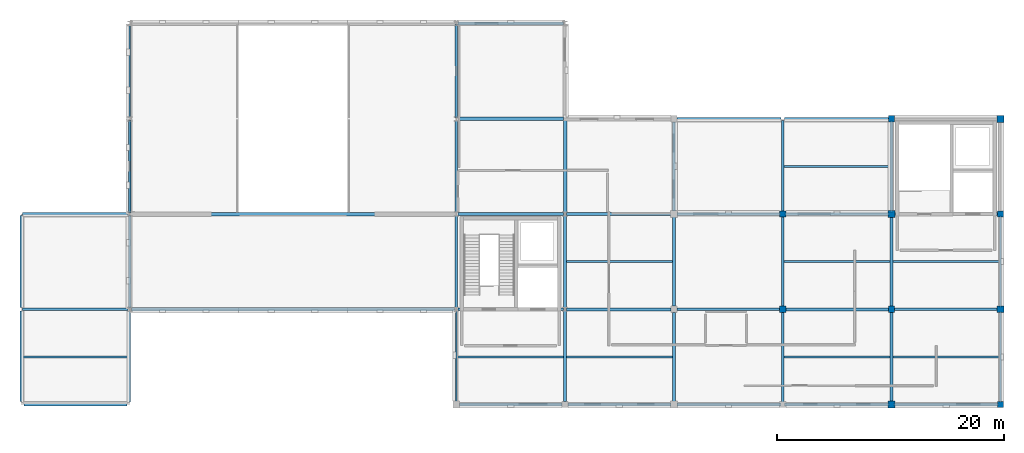
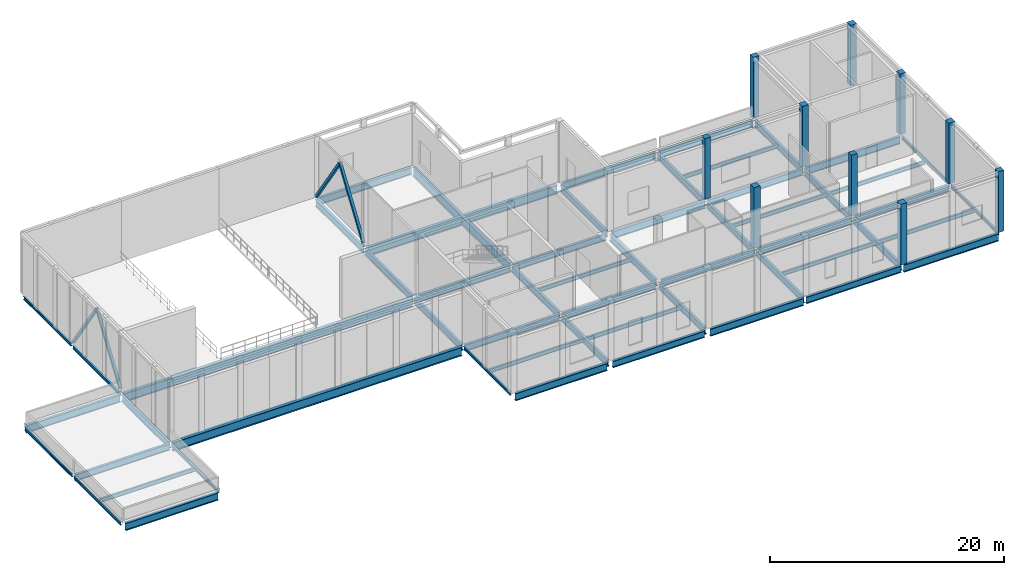
# One storey, part 2 of 9: 57 beams, 10 columns, 4 members.
"""IFC4 building model written with IfcOpenShell, lengths in metres."""

from ifc_helpers import new_model, si_unit, direction, frame, origin, origin_2d, place, context, subcontext, project, spatial, rectangle, hollow_rectangle, i_section, extrude, material, material_profile, profile_set, type_object, element, save


model = new_model("IFC4")

# Units and contexts
model_context = context("Model", 3, precision=1e-05, world=origin(), true_north=direction((0.0, 1.0)))
body_context = subcontext(model_context, "Body", "Model", "MODEL_VIEW")
ifc_project = project(units=[si_unit("LENGTHUNIT", "METRE"), si_unit("AREAUNIT", "SQUARE_METRE"), si_unit("VOLUMEUNIT", "CUBIC_METRE"), si_unit("PLANEANGLEUNIT", "RADIAN"), si_unit("MASSUNIT", "GRAM", prefix="KILO")], contexts=[model_context])

# Site, building, storey
site_placement = place(None, origin())
site = spatial("IfcSite", under=ifc_project, at=site_placement, CompositionType="ELEMENT")
building_placement = place(site_placement, origin())
building = spatial("IfcBuilding", under=site, at=building_placement, Name="Lornevale Opera House", CompositionType="ELEMENT")
storey_placement = place(building_placement, frame((0.0, 0.0, 24.60009765625)))
storey = spatial("IfcBuildingStorey", under=building, at=storey_placement, Name="L06", CompositionType="ELEMENT", Elevation=24.60009765625)

# Columns
ifc_material_1 = material(Name="Concrete 35 MPa (CSA A23.1 N)", Category="concrete")
ifc_material_profile_1 = material_profile(ifc_material_1, rectangle(XDim=0.550048828125, YDim=0.550048828125, at=origin_2d()), Name="RC550x550")
ifc_profile_set_1 = profile_set([ifc_material_profile_1], Name="Concrete 35 MPa (CSA A23.1 N)")
column_type_1 = type_object("IfcColumnType", Name="Concrete Column 550x550", PredefinedType="COLUMN", material=ifc_profile_set_1)
for number, where, z_axis, x_axis, name in (
    (1, (124.800048828125, 67.199951171875, 0.0), (0.0, 0.0, 1.0), (1.0, 0.0, 0.0), "Concrete Column 550x550 0884"),
    (2, (134.39990234375, 58.800048828125, 0.0), (0.0, 0.0, 1.0), (1.0, 0.0, 0.0), "Concrete Column 550x550 0953"),
    (3, (134.39990234375, 75.60009765625, 0.0), (0.0, 0.0, 1.0), (1.0, 0.0, 0.0), "Concrete Column 550x550 0969"),
    (4, (144.0, 50.39990234375, 0.0), (0.0, 0.0, 1.0), (1.0, 0.0, 0.0), "Concrete Column 550x550 1008"),
    (5, (144.0, 67.199951171875, 0.0), (0.0, 0.0, 1.0), (1.0, 0.0, 0.0), "Concrete Column 550x550 1024"),
):
    element("IfcColumn", number, at=place(storey_placement, frame(where, z_axis=z_axis, x_axis=x_axis)), inside=storey, type_object=column_type_1, Name=name, PredefinedType="COLUMN", context=body_context, shape_type="SweptSolid", body=[
        extrude(rectangle(XDim=0.550048828125, YDim=0.550048828125, at=origin_2d()), origin(), (0.0, 0.0, 1.0), 6.329833984375),
    ])
ifc_material_profile_2 = material_profile(ifc_material_1, rectangle(XDim=0.60009765625, YDim=0.60009765625, at=origin_2d()), Name="RC600x600")
ifc_profile_set_2 = profile_set([ifc_material_profile_2], Name="Concrete 35 MPa (CSA A23.1 N)")
column_type_2 = type_object("IfcColumnType", Name="Concrete Column 600x600", PredefinedType="COLUMN", material=ifc_profile_set_2)
for number, where, z_axis, x_axis, name in (
    (6, (124.800048828125, 58.800048828125, 0.0), (0.0, 0.0, 1.0), (1.0, 0.0, 0.0), "Concrete Column 600x600 0876"),
    (7, (134.39990234375, 50.39990234375, 0.0), (0.0, 0.0, 1.0), (1.0, 0.0, 0.0), "Concrete Column 600x600 0945"),
    (8, (134.39990234375, 67.199951171875, 0.0), (0.0, 0.0, 1.0), (1.0, 0.0, 0.0), "Concrete Column 600x600 0961"),
    (9, (144.0, 58.800048828125, 0.0), (0.0, 0.0, 1.0), (1.0, 0.0, 0.0), "Concrete Column 600x600 1016"),
    (10, (144.0, 75.60009765625, 0.0), (0.0, 0.0, 1.0), (1.0, 0.0, 0.0), "Concrete Column 600x600 1032"),
):
    element("IfcColumn", number, at=place(storey_placement, frame(where, z_axis=z_axis, x_axis=x_axis)), inside=storey, type_object=column_type_2, Name=name, PredefinedType="COLUMN", context=body_context, shape_type="SweptSolid", body=[
        extrude(rectangle(XDim=0.60009765625, YDim=0.60009765625, at=origin_2d()), origin(), (0.0, 0.0, 1.0), 6.329833984375),
    ])

# Members
ifc_material_2 = material(Name="Structural Steel CSA G40.21 Grade 350W (350 MPa)", Category="steel")
ifc_material_profile_3 = material_profile(ifc_material_2, hollow_rectangle(XDim=0.25390625, YDim=0.25390625, WallThickness=0.0126953125, at=origin_2d()), Name="HSS254x254x13")
ifc_profile_set_3 = profile_set([ifc_material_profile_3], Name="Structural Steel CSA G40.21 Grade 350W (350 MPa)")
member_type = type_object("IfcMemberType", Name="Stagehouse Lateral Brace HSS254x254x13", PredefinedType="BRACE", material=ifc_profile_set_3)
for number, where, z_axis, x_axis, name in (
    (11, (67.199951171875, 67.3935546875, 0.099853515625), (0.0, 0.561758390536, 0.827301342113), (-1.0, 0.0, 0.0), "Stagehouse Lateral Brace HSS254x254x13 0114"),
    (12, (67.199951171875, 75.406494140625, 0.099853515625), (0.0, -0.561781819653, 0.82728543267), (1.0, 0.0, 0.0), "Stagehouse Lateral Brace HSS254x254x13 0115"),
    (13, (96.0, 75.79345703125, 0.099853515625), (0.0, 0.561781819653, 0.82728543267), (-1.0, 0.0, 0.0), "Stagehouse Lateral Brace HSS254x254x13 0126"),
    (14, (96.0, 83.806396484375, 0.099853515625), (0.0, -0.561758390536, 0.827301342113), (1.0, 0.0, 0.0), "Stagehouse Lateral Brace HSS254x254x13 0127"),
):
    element("IfcMember", number, at=place(storey_placement, frame(where, z_axis=z_axis, x_axis=x_axis)), inside=storey, type_object=member_type, Name=name, PredefinedType="BRACE", context=body_context, shape_type="SweptSolid", body=[
        extrude(hollow_rectangle(XDim=0.25390625, YDim=0.25390625, WallThickness=0.0126953125, at=origin_2d()), origin(), (0.0, 0.0, 1.0), 7.1318359375),
    ])

# Beams
ifc_material_profile_4 = material_profile(ifc_material_2, i_section(OverallWidth=0.179931640625, OverallDepth=0.4130859375, WebThickness=0.009765625, FlangeThickness=0.01611328125, at=origin_2d()), Name="W410x74")
ifc_profile_set_4 = profile_set([ifc_material_profile_4], Name="Structural Steel CSA G40.21 Grade 350W (350 MPa)")
beam_type_1 = type_object("IfcBeamType", Name="Steel Floor Joist W410x74", PredefinedType="JOIST", material=ifc_profile_set_4)
beam_1_placement = place(storey_placement, frame((57.68359375, 54.60009765625, -0.51171875), z_axis=(1.0, 0.0, 0.0), x_axis=(0.0, 1.0, 0.0)))
element("IfcBeam", 15, at=beam_1_placement, inside=storey, type_object=beam_type_1, Name="Steel Floor Joist W410x74 2879", PredefinedType="JOIST", context=body_context, shape_type="SweptSolid", body=[
    extrude(i_section(OverallWidth=0.179931640625, OverallDepth=0.4130859375, WebThickness=0.009765625, FlangeThickness=0.01611328125, at=origin_2d()), origin(), (0.0, 0.0, 1.0), 9.432861328125),
])
beam_2_placement = place(storey_placement, frame((96.08349609375, 54.60009765625, -0.441650390625), z_axis=(1.0, 0.0, 0.0), x_axis=(0.0, 1.0, 0.0)))
element("IfcBeam", 16, at=beam_2_placement, inside=storey, type_object=beam_type_1, Name="Steel Floor Joist W410x74 2880", PredefinedType="JOIST", context=body_context, shape_type="SweptSolid", body=[
    extrude(i_section(OverallWidth=0.179931640625, OverallDepth=0.4130859375, WebThickness=0.009765625, FlangeThickness=0.01611328125, at=origin_2d()), origin(), (0.0, 0.0, 1.0), 9.389404296875),
])
for number, where, z_axis, x_axis, name in (
    (17, (105.72705078125, 54.60009765625, -0.441650390625), (1.0, 0.0, 0.0), (0.0, 1.0, 0.0), "Steel Floor Joist W410x74 2881"),
    (18, (105.72705078125, 63.0, -0.51171875), (1.0, 0.0, 0.0), (0.0, 1.0, 0.0), "Steel Floor Joist W410x74 2882"),
    (19, (124.927001953125, 54.60009765625, -0.441650390625), (1.0, 0.0, 0.0), (0.0, 1.0, 0.0), "Steel Floor Joist W410x74 2883"),
    (20, (124.927001953125, 63.0, -0.51171875), (1.0, 0.0, 0.0), (0.0, 1.0, 0.0), "Steel Floor Joist W410x74 2884"),
    (21, (124.927001953125, 71.39990234375, -0.51171875), (1.0, 0.0, 0.0), (0.0, 1.0, 0.0), "Steel Floor Joist W410x74 2885"),
):
    element("IfcBeam", number, at=place(storey_placement, frame(where, z_axis=z_axis, x_axis=x_axis)), inside=storey, type_object=beam_type_1, Name=name, PredefinedType="JOIST", context=body_context, shape_type="SweptSolid", body=[
        extrude(i_section(OverallWidth=0.179931640625, OverallDepth=0.4130859375, WebThickness=0.009765625, FlangeThickness=0.01611328125, at=origin_2d()), origin(), (0.0, 0.0, 1.0), 9.345947265625),
    ])
for number, where, z_axis, x_axis, name in (
    (22, (134.527099609375, 54.60009765625, -0.441650390625), (1.0, 0.0, 0.0), (0.0, 1.0, 0.0), "Steel Floor Joist W410x74 2886"),
    (23, (134.527099609375, 63.0, -0.51171875), (1.0, 0.0, 0.0), (0.0, 1.0, 0.0), "Steel Floor Joist W410x74 2887"),
):
    element("IfcBeam", number, at=place(storey_placement, frame(where, z_axis=z_axis, x_axis=x_axis)), inside=storey, type_object=beam_type_1, Name=name, PredefinedType="JOIST", context=body_context, shape_type="SweptSolid", body=[
        extrude(i_section(OverallWidth=0.179931640625, OverallDepth=0.4130859375, WebThickness=0.009765625, FlangeThickness=0.01611328125, at=origin_2d()), origin(), (0.0, 0.0, 1.0), 9.389404296875),
    ])
ifc_material_profile_5 = material_profile(ifc_material_2, i_section(OverallWidth=0.25390625, OverallDepth=0.68798828125, WebThickness=0.01318359375, FlangeThickness=0.02099609375, at=origin_2d()), Name="W690x152")
ifc_profile_set_5 = profile_set([ifc_material_profile_5], Name="Structural Steel CSA G40.21 Grade 350W (350 MPa)")
beam_type_2 = type_object("IfcBeamType", Name="Steel Foyer Beam W690x152", PredefinedType="USERDEFINED", material=ifc_profile_set_5)
beam_3_placement = place(storey_placement, frame((105.875, 50.39990234375, -0.5791015625), z_axis=(1.0, 0.0, 0.0), x_axis=(0.0, 1.0, 0.0)))
element("IfcBeam", 24, at=beam_3_placement, inside=storey, type_object=beam_type_2, Name="Steel Foyer Beam W690x152 2831", ObjectType="GIRDER", PredefinedType="USERDEFINED", context=body_context, shape_type="SweptSolid", body=[
    extrude(i_section(OverallWidth=0.25390625, OverallDepth=0.68798828125, WebThickness=0.01318359375, FlangeThickness=0.02099609375, at=origin_2d()), origin(), (0.0, 0.0, 1.0), 9.050048828125),
])
beam_4_placement = place(storey_placement, frame((124.9365234375, 50.39990234375, -0.5791015625), z_axis=(1.0, 0.0, 0.0), x_axis=(0.0, 1.0, 0.0)))
element("IfcBeam", 25, at=beam_4_placement, inside=storey, type_object=beam_type_2, Name="Steel Foyer Beam W690x152 2833", ObjectType="GIRDER", PredefinedType="USERDEFINED", context=body_context, shape_type="SweptSolid", body=[
    extrude(i_section(OverallWidth=0.25390625, OverallDepth=0.68798828125, WebThickness=0.01318359375, FlangeThickness=0.02099609375, at=origin_2d()), origin(), (0.0, 0.0, 1.0), 9.326904296875),
])
for number, where, z_axis, x_axis, name in (
    (26, (57.748046875, 58.800048828125, -0.649169921875), (1.0, 0.0, 0.0), (0.0, 1.0, 0.0), "Steel Foyer Beam W690x152 2835"),
    (27, (96.14794921875, 58.800048828125, -0.5791015625), (1.0, 0.0, 0.0), (0.0, 1.0, 0.0), "Steel Foyer Beam W690x152 2837"),
):
    element("IfcBeam", number, at=place(storey_placement, frame(where, z_axis=z_axis, x_axis=x_axis)), inside=storey, type_object=beam_type_2, Name=name, ObjectType="GIRDER", PredefinedType="USERDEFINED", context=body_context, shape_type="SweptSolid", body=[
        extrude(i_section(OverallWidth=0.25390625, OverallDepth=0.68798828125, WebThickness=0.01318359375, FlangeThickness=0.02099609375, at=origin_2d()), origin(), (0.0, 0.0, 1.0), 9.303955078125),
    ])
beam_5_placement = place(storey_placement, frame((115.47509765625, 58.800048828125, -0.5791015625), z_axis=(1.0, 0.0, 0.0), x_axis=(0.0, 1.0, 0.0)))
element("IfcBeam", 28, at=beam_5_placement, inside=storey, type_object=beam_type_2, Name="Steel Foyer Beam W690x152 2839", ObjectType="GIRDER", PredefinedType="USERDEFINED", context=body_context, shape_type="SweptSolid", body=[
    extrude(i_section(OverallWidth=0.25390625, OverallDepth=0.68798828125, WebThickness=0.01318359375, FlangeThickness=0.02099609375, at=origin_2d()), origin(), (0.0, 0.0, 1.0), 9.1884765625),
])
beam_6_placement = place(storey_placement, frame((134.53662109375, 58.800048828125, -0.5791015625), z_axis=(1.0, 0.0, 0.0), x_axis=(0.0, 1.0, 0.0)))
element("IfcBeam", 29, at=beam_6_placement, inside=storey, type_object=beam_type_2, Name="Steel Foyer Beam W690x152 2841", ObjectType="GIRDER", PredefinedType="USERDEFINED", context=body_context, shape_type="SweptSolid", body=[
    extrude(i_section(OverallWidth=0.25390625, OverallDepth=0.68798828125, WebThickness=0.01318359375, FlangeThickness=0.02099609375, at=origin_2d()), origin(), (0.0, 0.0, 1.0), 9.326904296875),
])
beam_7_placement = place(storey_placement, frame((105.748046875, 67.199951171875, -0.649169921875), z_axis=(1.0, 0.0, 0.0), x_axis=(0.0, 1.0, 0.0)))
element("IfcBeam", 30, at=beam_7_placement, inside=storey, type_object=beam_type_2, Name="Steel Foyer Beam W690x152 2845", ObjectType="GIRDER", PredefinedType="USERDEFINED", context=body_context, shape_type="SweptSolid", body=[
    extrude(i_section(OverallWidth=0.25390625, OverallDepth=0.68798828125, WebThickness=0.01318359375, FlangeThickness=0.02099609375, at=origin_2d()), origin(), (0.0, 0.0, 1.0), 9.177001953125),
])
beam_8_placement = place(storey_placement, frame((124.9365234375, 67.199951171875, -0.649169921875), z_axis=(1.0, 0.0, 0.0), x_axis=(0.0, 1.0, 0.0)))
element("IfcBeam", 31, at=beam_8_placement, inside=storey, type_object=beam_type_2, Name="Steel Foyer Beam W690x152 2847", ObjectType="GIRDER", PredefinedType="USERDEFINED", context=body_context, shape_type="SweptSolid", body=[
    extrude(i_section(OverallWidth=0.25390625, OverallDepth=0.68798828125, WebThickness=0.01318359375, FlangeThickness=0.02099609375, at=origin_2d()), origin(), (0.0, 0.0, 1.0), 9.326904296875),
])
beam_9_placement = place(storey_placement, frame((115.47509765625, 75.60009765625, -0.649169921875), z_axis=(1.0, 0.0, 0.0), x_axis=(0.0, 1.0, 0.0)))
element("IfcBeam", 32, at=beam_9_placement, inside=storey, type_object=beam_type_2, Name="Steel Foyer Beam W690x152 2850", ObjectType="GIRDER", PredefinedType="USERDEFINED", context=body_context, shape_type="SweptSolid", body=[
    extrude(i_section(OverallWidth=0.25390625, OverallDepth=0.68798828125, WebThickness=0.01318359375, FlangeThickness=0.02099609375, at=origin_2d()), origin(), (0.0, 0.0, 1.0), 9.1884765625),
])
for number, where, z_axis, x_axis, name in (
    (33, (67.199951171875, 58.943603515625, -0.649169921875), (0.0, 1.0, 0.0), (-1.0, 0.0, 0.0), "Steel Foyer Beam W690x152 2857"),
    (34, (96.0, 58.943603515625, -0.5791015625), (0.0, 1.0, 0.0), (-1.0, 0.0, 0.0), "Steel Foyer Beam W690x152 2861"),
):
    element("IfcBeam", number, at=place(storey_placement, frame(where, z_axis=z_axis, x_axis=x_axis)), inside=storey, type_object=beam_type_2, Name=name, ObjectType="GIRDER", PredefinedType="USERDEFINED", context=body_context, shape_type="SweptSolid", body=[
        extrude(i_section(OverallWidth=0.25390625, OverallDepth=0.68798828125, WebThickness=0.01318359375, FlangeThickness=0.02099609375, at=origin_2d()), origin(), (0.0, 0.0, 1.0), 8.11279296875),
    ])
for number, where, z_axis, x_axis, name in (
    (35, (96.0, 67.343505859375, -0.5791015625), (0.0, 1.0, 0.0), (-1.0, 0.0, 0.0), "Steel Foyer Beam W690x152 2862"),
    (36, (96.0, 75.743408203125, -0.5791015625), (0.0, 1.0, 0.0), (-1.0, 0.0, 0.0), "Steel Foyer Beam W690x152 2863"),
):
    element("IfcBeam", number, at=place(storey_placement, frame(where, z_axis=z_axis, x_axis=x_axis)), inside=storey, type_object=beam_type_2, Name=name, ObjectType="GIRDER", PredefinedType="USERDEFINED", context=body_context, shape_type="SweptSolid", body=[
        extrude(i_section(OverallWidth=0.25390625, OverallDepth=0.68798828125, WebThickness=0.01318359375, FlangeThickness=0.02099609375, at=origin_2d()), origin(), (0.0, 0.0, 1.0), 8.113037109375),
    ])
beam_10_placement = place(storey_placement, frame((105.60009765625, 50.675048828125, -0.5791015625), z_axis=(0.0, 1.0, 0.0), x_axis=(-1.0, 0.0, 0.0)))
element("IfcBeam", 37, at=beam_10_placement, inside=storey, type_object=beam_type_2, Name="Steel Foyer Beam W690x152 2864", ObjectType="GIRDER", PredefinedType="USERDEFINED", context=body_context, shape_type="SweptSolid", body=[
    extrude(i_section(OverallWidth=0.25390625, OverallDepth=0.68798828125, WebThickness=0.01318359375, FlangeThickness=0.02099609375, at=origin_2d()), origin(), (0.0, 0.0, 1.0), 7.9814453125),
])
beam_11_placement = place(storey_placement, frame((105.60009765625, 58.943603515625, -0.5791015625), z_axis=(0.0, 1.0, 0.0), x_axis=(-1.0, 0.0, 0.0)))
element("IfcBeam", 38, at=beam_11_placement, inside=storey, type_object=beam_type_2, Name="Steel Foyer Beam W690x152 2865", ObjectType="GIRDER", PredefinedType="USERDEFINED", context=body_context, shape_type="SweptSolid", body=[
    extrude(i_section(OverallWidth=0.25390625, OverallDepth=0.68798828125, WebThickness=0.01318359375, FlangeThickness=0.02099609375, at=origin_2d()), origin(), (0.0, 0.0, 1.0), 8.11279296875),
])
beam_12_placement = place(storey_placement, frame((115.199951171875, 50.675048828125, -0.5791015625), z_axis=(0.0, 1.0, 0.0), x_axis=(-1.0, 0.0, 0.0)))
element("IfcBeam", 39, at=beam_12_placement, inside=storey, type_object=beam_type_2, Name="Steel Foyer Beam W690x152 2867", ObjectType="GIRDER", PredefinedType="USERDEFINED", context=body_context, shape_type="SweptSolid", body=[
    extrude(i_section(OverallWidth=0.25390625, OverallDepth=0.68798828125, WebThickness=0.01318359375, FlangeThickness=0.02099609375, at=origin_2d()), origin(), (0.0, 0.0, 1.0), 7.849853515625),
])
beam_13_placement = place(storey_placement, frame((115.199951171875, 59.074951171875, -0.649169921875), z_axis=(0.0, 1.0, 0.0), x_axis=(-1.0, 0.0, 0.0)))
element("IfcBeam", 40, at=beam_13_placement, inside=storey, type_object=beam_type_2, Name="Steel Foyer Beam W690x152 2868", ObjectType="GIRDER", PredefinedType="USERDEFINED", context=body_context, shape_type="SweptSolid", body=[
    extrude(i_section(OverallWidth=0.25390625, OverallDepth=0.68798828125, WebThickness=0.01318359375, FlangeThickness=0.02099609375, at=origin_2d()), origin(), (0.0, 0.0, 1.0), 7.85009765625),
])
beam_14_placement = place(storey_placement, frame((115.199951171875, 67.47509765625, -0.649169921875), z_axis=(0.0, 1.0, 0.0), x_axis=(-1.0, 0.0, 0.0)))
element("IfcBeam", 41, at=beam_14_placement, inside=storey, type_object=beam_type_2, Name="Steel Foyer Beam W690x152 2869", ObjectType="GIRDER", PredefinedType="USERDEFINED", context=body_context, shape_type="SweptSolid", body=[
    extrude(i_section(OverallWidth=0.25390625, OverallDepth=0.68798828125, WebThickness=0.01318359375, FlangeThickness=0.02099609375, at=origin_2d()), origin(), (0.0, 0.0, 1.0), 7.849853515625),
])
beam_15_placement = place(storey_placement, frame((124.800048828125, 50.533935546875, -0.5791015625), z_axis=(0.0, 1.0, 0.0), x_axis=(-1.0, 0.0, 0.0)))
element("IfcBeam", 42, at=beam_15_placement, inside=storey, type_object=beam_type_2, Name="Steel Foyer Beam W690x152 2870", ObjectType="GIRDER", PredefinedType="USERDEFINED", context=body_context, shape_type="SweptSolid", body=[
    extrude(i_section(OverallWidth=0.25390625, OverallDepth=0.68798828125, WebThickness=0.01318359375, FlangeThickness=0.02099609375, at=origin_2d()), origin(), (0.0, 0.0, 1.0), 8.132080078125),
])
beam_16_placement = place(storey_placement, frame((124.800048828125, 58.93408203125, -0.649169921875), z_axis=(0.0, 1.0, 0.0), x_axis=(-1.0, 0.0, 0.0)))
element("IfcBeam", 43, at=beam_16_placement, inside=storey, type_object=beam_type_2, Name="Steel Foyer Beam W690x152 2871", ObjectType="GIRDER", PredefinedType="USERDEFINED", context=body_context, shape_type="SweptSolid", body=[
    extrude(i_section(OverallWidth=0.25390625, OverallDepth=0.68798828125, WebThickness=0.01318359375, FlangeThickness=0.02099609375, at=origin_2d()), origin(), (0.0, 0.0, 1.0), 8.1318359375),
])
for number, where, z_axis, x_axis, name in (
    (44, (124.800048828125, 67.333984375, -0.649169921875), (0.0, 1.0, 0.0), (-1.0, 0.0, 0.0), "Steel Foyer Beam W690x152 2872"),
    (45, (134.39990234375, 50.533935546875, -0.5791015625), (0.0, 1.0, 0.0), (-1.0, 0.0, 0.0), "Steel Foyer Beam W690x152 2873"),
):
    element("IfcBeam", number, at=place(storey_placement, frame(where, z_axis=z_axis, x_axis=x_axis)), inside=storey, type_object=beam_type_2, Name=name, ObjectType="GIRDER", PredefinedType="USERDEFINED", context=body_context, shape_type="SweptSolid", body=[
        extrude(i_section(OverallWidth=0.25390625, OverallDepth=0.68798828125, WebThickness=0.01318359375, FlangeThickness=0.02099609375, at=origin_2d()), origin(), (0.0, 0.0, 1.0), 8.132080078125),
    ])
beam_17_placement = place(storey_placement, frame((134.39990234375, 58.93408203125, -0.649169921875), z_axis=(0.0, 1.0, 0.0), x_axis=(-1.0, 0.0, 0.0)))
element("IfcBeam", 46, at=beam_17_placement, inside=storey, type_object=beam_type_2, Name="Steel Foyer Beam W690x152 2874", ObjectType="GIRDER", PredefinedType="USERDEFINED", context=body_context, shape_type="SweptSolid", body=[
    extrude(i_section(OverallWidth=0.25390625, OverallDepth=0.68798828125, WebThickness=0.01318359375, FlangeThickness=0.02099609375, at=origin_2d()), origin(), (0.0, 0.0, 1.0), 8.1318359375),
])
beam_18_placement = place(storey_placement, frame((134.39990234375, 67.333984375, -0.649169921875), z_axis=(0.0, 1.0, 0.0), x_axis=(-1.0, 0.0, 0.0)))
element("IfcBeam", 47, at=beam_18_placement, inside=storey, type_object=beam_type_2, Name="Steel Foyer Beam W690x152 2875", ObjectType="GIRDER", PredefinedType="USERDEFINED", context=body_context, shape_type="SweptSolid", body=[
    extrude(i_section(OverallWidth=0.25390625, OverallDepth=0.68798828125, WebThickness=0.01318359375, FlangeThickness=0.02099609375, at=origin_2d()), origin(), (0.0, 0.0, 1.0), 8.132080078125),
])
ifc_material_profile_6 = material_profile(ifc_material_2, i_section(OverallWidth=0.1669921875, OverallDepth=0.31689453125, WebThickness=0.007568359375, FlangeThickness=0.01318359375, at=origin_2d()), Name="W310x52")
ifc_profile_set_6 = profile_set([ifc_material_profile_6], Name="Structural Steel CSA G40.21 Grade 350W (350 MPa)")
beam_type_3 = type_object("IfcBeamType", Name="Steel Spandrel Beam W310x52", PredefinedType="SPANDREL", material=ifc_profile_set_6)
beam_19_placement = place(storey_placement, frame((57.60009765625, 50.64990234375, -0.463623046875), z_axis=(0.0, 1.0, 0.0), x_axis=(-1.0, 0.0, 0.0)))
element("IfcBeam", 48, at=beam_19_placement, inside=storey, type_object=beam_type_3, Name="Steel Spandrel Beam W310x52 2854", PredefinedType="SPANDREL", context=body_context, shape_type="SweptSolid", body=[
    extrude(i_section(OverallWidth=0.1669921875, OverallDepth=0.31689453125, WebThickness=0.007568359375, FlangeThickness=0.01318359375, at=origin_2d()), origin(), (0.0, 0.0, 1.0), 8.006591796875),
])
beam_20_placement = place(storey_placement, frame((57.60009765625, 58.943603515625, -0.463623046875), z_axis=(0.0, 1.0, 0.0), x_axis=(-1.0, 0.0, 0.0)))
element("IfcBeam", 49, at=beam_20_placement, inside=storey, type_object=beam_type_3, Name="Steel Spandrel Beam W310x52 2855", PredefinedType="SPANDREL", context=body_context, shape_type="SweptSolid", body=[
    extrude(i_section(OverallWidth=0.1669921875, OverallDepth=0.31689453125, WebThickness=0.007568359375, FlangeThickness=0.01318359375, at=origin_2d()), origin(), (0.0, 0.0, 1.0), 8.11279296875),
])
beam_21_placement = place(storey_placement, frame((67.199951171875, 50.625, -0.463623046875), z_axis=(0.0, 1.0, 0.0), x_axis=(-1.0, 0.0, 0.0)))
element("IfcBeam", 50, at=beam_21_placement, inside=storey, type_object=beam_type_3, Name="Steel Spandrel Beam W310x52 2856", PredefinedType="SPANDREL", context=body_context, shape_type="SweptSolid", body=[
    extrude(i_section(OverallWidth=0.1669921875, OverallDepth=0.31689453125, WebThickness=0.007568359375, FlangeThickness=0.01318359375, at=origin_2d()), origin(), (0.0, 0.0, 1.0), 8.031494140625),
])
for number, where, z_axis, x_axis, name in (
    (51, (67.199951171875, 67.343505859375, -0.463623046875), (0.0, 1.0, 0.0), (-1.0, 0.0, 0.0), "Steel Spandrel Beam W310x52 2858"),
    (52, (67.199951171875, 75.743408203125, -0.3935546875), (0.0, 1.0, 0.0), (-1.0, 0.0, 0.0), "Steel Spandrel Beam W310x52 2859"),
):
    element("IfcBeam", number, at=place(storey_placement, frame(where, z_axis=z_axis, x_axis=x_axis)), inside=storey, type_object=beam_type_3, Name=name, PredefinedType="SPANDREL", context=body_context, shape_type="SweptSolid", body=[
        extrude(i_section(OverallWidth=0.1669921875, OverallDepth=0.31689453125, WebThickness=0.007568359375, FlangeThickness=0.01318359375, at=origin_2d()), origin(), (0.0, 0.0, 1.0), 8.113037109375),
    ])
beam_22_placement = place(storey_placement, frame((96.0, 50.675048828125, -0.3935546875), z_axis=(0.0, 1.0, 0.0), x_axis=(-1.0, 0.0, 0.0)))
element("IfcBeam", 53, at=beam_22_placement, inside=storey, type_object=beam_type_3, Name="Steel Spandrel Beam W310x52 2860", PredefinedType="SPANDREL", context=body_context, shape_type="SweptSolid", body=[
    extrude(i_section(OverallWidth=0.1669921875, OverallDepth=0.31689453125, WebThickness=0.007568359375, FlangeThickness=0.01318359375, at=origin_2d()), origin(), (0.0, 0.0, 1.0), 7.9814453125),
])
beam_23_placement = place(storey_placement, frame((144.0, 50.533935546875, -0.3935546875), z_axis=(0.0, 1.0, 0.0), x_axis=(-1.0, 0.0, 0.0)))
element("IfcBeam", 54, at=beam_23_placement, inside=storey, type_object=beam_type_3, Name="Steel Spandrel Beam W310x52 2876", PredefinedType="SPANDREL", context=body_context, shape_type="SweptSolid", body=[
    extrude(i_section(OverallWidth=0.1669921875, OverallDepth=0.31689453125, WebThickness=0.007568359375, FlangeThickness=0.01318359375, at=origin_2d()), origin(), (0.0, 0.0, 1.0), 8.132080078125),
])
beam_24_placement = place(storey_placement, frame((144.0, 58.93408203125, -0.3935546875), z_axis=(0.0, 1.0, 0.0), x_axis=(-1.0, 0.0, 0.0)))
element("IfcBeam", 55, at=beam_24_placement, inside=storey, type_object=beam_type_3, Name="Steel Spandrel Beam W310x52 2877", PredefinedType="SPANDREL", context=body_context, shape_type="SweptSolid", body=[
    extrude(i_section(OverallWidth=0.1669921875, OverallDepth=0.31689453125, WebThickness=0.007568359375, FlangeThickness=0.01318359375, at=origin_2d()), origin(), (0.0, 0.0, 1.0), 8.1318359375),
])
ifc_material_profile_7 = material_profile(ifc_material_2, i_section(OverallWidth=0.305908203125, OverallDepth=0.9189453125, WebThickness=0.017333984375, FlangeThickness=0.02783203125, at=origin_2d()), Name="W920x253")
ifc_profile_set_7 = profile_set([ifc_material_profile_7], Name="Structural Steel CSA G40.21 Grade 350W (350 MPa)")
beam_type_4 = type_object("IfcBeamType", Name="Steel Stagehouse Girder W920x253", PredefinedType="USERDEFINED", material=ifc_profile_set_7)
for number, where, z_axis, x_axis, name in (
    (56, (67.347900390625, 58.800048828125, -0.7646484375), (1.0, 0.0, 0.0), (0.0, 1.0, 0.0), "Steel Stagehouse Girder W920x253 2836"),
    (57, (67.347900390625, 67.199951171875, -0.7646484375), (1.0, 0.0, 0.0), (0.0, 1.0, 0.0), "Steel Stagehouse Girder W920x253 2843"),
):
    element("IfcBeam", number, at=place(storey_placement, frame(where, z_axis=z_axis, x_axis=x_axis)), inside=storey, type_object=beam_type_4, Name=name, ObjectType="GIRDER", PredefinedType="USERDEFINED", context=body_context, shape_type="SweptSolid", body=[
        extrude(i_section(OverallWidth=0.305908203125, OverallDepth=0.9189453125, WebThickness=0.017333984375, FlangeThickness=0.02783203125, at=origin_2d()), origin(), (0.0, 0.0, 1.0), 28.504150390625),
    ])
beam_25_placement = place(storey_placement, frame((96.14794921875, 75.60009765625, -0.7646484375), z_axis=(1.0, 0.0, 0.0), x_axis=(0.0, 1.0, 0.0)))
element("IfcBeam", 58, at=beam_25_placement, inside=storey, type_object=beam_type_4, Name="Steel Stagehouse Girder W920x253 2849", ObjectType="GIRDER", PredefinedType="USERDEFINED", context=body_context, shape_type="SweptSolid", body=[
    extrude(i_section(OverallWidth=0.305908203125, OverallDepth=0.9189453125, WebThickness=0.017333984375, FlangeThickness=0.02783203125, at=origin_2d()), origin(), (0.0, 0.0, 1.0), 18.777099609375),
])
beam_26_placement = place(storey_placement, frame((105.60009765625, 67.343505859375, -0.694580078125), z_axis=(0.0, 1.0, 0.0), x_axis=(-1.0, 0.0, 0.0)))
element("IfcBeam", 59, at=beam_26_placement, inside=storey, type_object=beam_type_4, Name="Steel Stagehouse Girder W920x253 2866", ObjectType="GIRDER", PredefinedType="USERDEFINED", context=body_context, shape_type="SweptSolid", body=[
    extrude(i_section(OverallWidth=0.305908203125, OverallDepth=0.9189453125, WebThickness=0.017333984375, FlangeThickness=0.02783203125, at=origin_2d()), origin(), (0.0, 0.0, 1.0), 16.512939453125),
])
ifc_material_profile_8 = material_profile(ifc_material_2, i_section(OverallWidth=0.26708984375, OverallDepth=0.76611328125, WebThickness=0.014892578125, FlangeThickness=0.023681640625, at=origin_2d()), Name="W760x185")
ifc_profile_set_8 = profile_set([ifc_material_profile_8], Name="Structural Steel CSA G40.21 Grade 350W (350 MPa)")
beam_type_5 = type_object("IfcBeamType", Name="Steel Workshop Girder W760x185", PredefinedType="USERDEFINED", material=ifc_profile_set_8)
beam_27_placement = place(storey_placement, frame((57.85009765625, 50.39990234375, -0.68798828125), z_axis=(1.0, 0.0, 0.0), x_axis=(0.0, 1.0, 0.0)))
element("IfcBeam", 60, at=beam_27_placement, inside=storey, type_object=beam_type_5, Name="Steel Workshop Girder W760x185 2829", ObjectType="GIRDER", PredefinedType="USERDEFINED", context=body_context, shape_type="SweptSolid", body=[
    extrude(i_section(OverallWidth=0.26708984375, OverallDepth=0.76611328125, WebThickness=0.014892578125, FlangeThickness=0.023681640625, at=origin_2d()), origin(), (0.0, 0.0, 1.0), 9.125),
])
beam_28_placement = place(storey_placement, frame((96.27490234375, 50.39990234375, -0.6181640625), z_axis=(1.0, 0.0, 0.0), x_axis=(0.0, 1.0, 0.0)))
element("IfcBeam", 61, at=beam_28_placement, inside=storey, type_object=beam_type_5, Name="Steel Workshop Girder W760x185 2830", ObjectType="GIRDER", PredefinedType="USERDEFINED", context=body_context, shape_type="SweptSolid", body=[
    extrude(i_section(OverallWidth=0.26708984375, OverallDepth=0.76611328125, WebThickness=0.014892578125, FlangeThickness=0.023681640625, at=origin_2d()), origin(), (0.0, 0.0, 1.0), 9.050048828125),
])
beam_29_placement = place(storey_placement, frame((115.47509765625, 50.39990234375, -0.6181640625), z_axis=(1.0, 0.0, 0.0), x_axis=(0.0, 1.0, 0.0)))
element("IfcBeam", 62, at=beam_29_placement, inside=storey, type_object=beam_type_5, Name="Steel Workshop Girder W760x185 2832", ObjectType="GIRDER", PredefinedType="USERDEFINED", context=body_context, shape_type="SweptSolid", body=[
    extrude(i_section(OverallWidth=0.26708984375, OverallDepth=0.76611328125, WebThickness=0.014892578125, FlangeThickness=0.023681640625, at=origin_2d()), origin(), (0.0, 0.0, 1.0), 9.1884765625),
])
beam_30_placement = place(storey_placement, frame((134.53662109375, 50.39990234375, -0.6181640625), z_axis=(1.0, 0.0, 0.0), x_axis=(0.0, 1.0, 0.0)))
element("IfcBeam", 63, at=beam_30_placement, inside=storey, type_object=beam_type_5, Name="Steel Workshop Girder W760x185 2834", ObjectType="GIRDER", PredefinedType="USERDEFINED", context=body_context, shape_type="SweptSolid", body=[
    extrude(i_section(OverallWidth=0.26708984375, OverallDepth=0.76611328125, WebThickness=0.014892578125, FlangeThickness=0.023681640625, at=origin_2d()), origin(), (0.0, 0.0, 1.0), 9.326904296875),
])
beam_31_placement = place(storey_placement, frame((105.748046875, 58.800048828125, -0.6181640625), z_axis=(1.0, 0.0, 0.0), x_axis=(0.0, 1.0, 0.0)))
element("IfcBeam", 64, at=beam_31_placement, inside=storey, type_object=beam_type_5, Name="Steel Workshop Girder W760x185 2838", ObjectType="GIRDER", PredefinedType="USERDEFINED", context=body_context, shape_type="SweptSolid", body=[
    extrude(i_section(OverallWidth=0.26708984375, OverallDepth=0.76611328125, WebThickness=0.014892578125, FlangeThickness=0.023681640625, at=origin_2d()), origin(), (0.0, 0.0, 1.0), 9.177001953125),
])
beam_32_placement = place(storey_placement, frame((124.9365234375, 58.800048828125, -0.6181640625), z_axis=(1.0, 0.0, 0.0), x_axis=(0.0, 1.0, 0.0)))
element("IfcBeam", 65, at=beam_32_placement, inside=storey, type_object=beam_type_5, Name="Steel Workshop Girder W760x185 2840", ObjectType="GIRDER", PredefinedType="USERDEFINED", context=body_context, shape_type="SweptSolid", body=[
    extrude(i_section(OverallWidth=0.26708984375, OverallDepth=0.76611328125, WebThickness=0.014892578125, FlangeThickness=0.023681640625, at=origin_2d()), origin(), (0.0, 0.0, 1.0), 9.326904296875),
])
for number, where, z_axis, x_axis, name in (
    (66, (57.748046875, 67.199951171875, -0.68798828125), (1.0, 0.0, 0.0), (0.0, 1.0, 0.0), "Steel Workshop Girder W760x185 2842"),
    (67, (96.14794921875, 67.199951171875, -0.6181640625), (1.0, 0.0, 0.0), (0.0, 1.0, 0.0), "Steel Workshop Girder W760x185 2844"),
):
    element("IfcBeam", number, at=place(storey_placement, frame(where, z_axis=z_axis, x_axis=x_axis)), inside=storey, type_object=beam_type_5, Name=name, ObjectType="GIRDER", PredefinedType="USERDEFINED", context=body_context, shape_type="SweptSolid", body=[
        extrude(i_section(OverallWidth=0.26708984375, OverallDepth=0.76611328125, WebThickness=0.014892578125, FlangeThickness=0.023681640625, at=origin_2d()), origin(), (0.0, 0.0, 1.0), 9.303955078125),
    ])
beam_33_placement = place(storey_placement, frame((115.47509765625, 67.199951171875, -0.68798828125), z_axis=(1.0, 0.0, 0.0), x_axis=(0.0, 1.0, 0.0)))
element("IfcBeam", 68, at=beam_33_placement, inside=storey, type_object=beam_type_5, Name="Steel Workshop Girder W760x185 2846", ObjectType="GIRDER", PredefinedType="USERDEFINED", context=body_context, shape_type="SweptSolid", body=[
    extrude(i_section(OverallWidth=0.26708984375, OverallDepth=0.76611328125, WebThickness=0.014892578125, FlangeThickness=0.023681640625, at=origin_2d()), origin(), (0.0, 0.0, 1.0), 9.1884765625),
])
for number, where, z_axis, x_axis, name in (
    (69, (134.53662109375, 67.199951171875, -0.68798828125), (1.0, 0.0, 0.0), (0.0, 1.0, 0.0), "Steel Workshop Girder W760x185 2848"),
    (70, (124.9365234375, 75.60009765625, -0.68798828125), (1.0, 0.0, 0.0), (0.0, 1.0, 0.0), "Steel Workshop Girder W760x185 2851"),
):
    element("IfcBeam", number, at=place(storey_placement, frame(where, z_axis=z_axis, x_axis=x_axis)), inside=storey, type_object=beam_type_5, Name=name, ObjectType="GIRDER", PredefinedType="USERDEFINED", context=body_context, shape_type="SweptSolid", body=[
        extrude(i_section(OverallWidth=0.26708984375, OverallDepth=0.76611328125, WebThickness=0.014892578125, FlangeThickness=0.023681640625, at=origin_2d()), origin(), (0.0, 0.0, 1.0), 9.326904296875),
    ])
beam_34_placement = place(storey_placement, frame((96.14794921875, 84.0, -0.6181640625), z_axis=(1.0, 0.0, 0.0), x_axis=(0.0, 1.0, 0.0)))
element("IfcBeam", 71, at=beam_34_placement, inside=storey, type_object=beam_type_5, Name="Steel Workshop Girder W760x185 2853", ObjectType="GIRDER", PredefinedType="USERDEFINED", context=body_context, shape_type="SweptSolid", body=[
    extrude(i_section(OverallWidth=0.26708984375, OverallDepth=0.76611328125, WebThickness=0.014892578125, FlangeThickness=0.023681640625, at=origin_2d()), origin(), (0.0, 0.0, 1.0), 9.303955078125),
])

save(model, "model.ifc")
